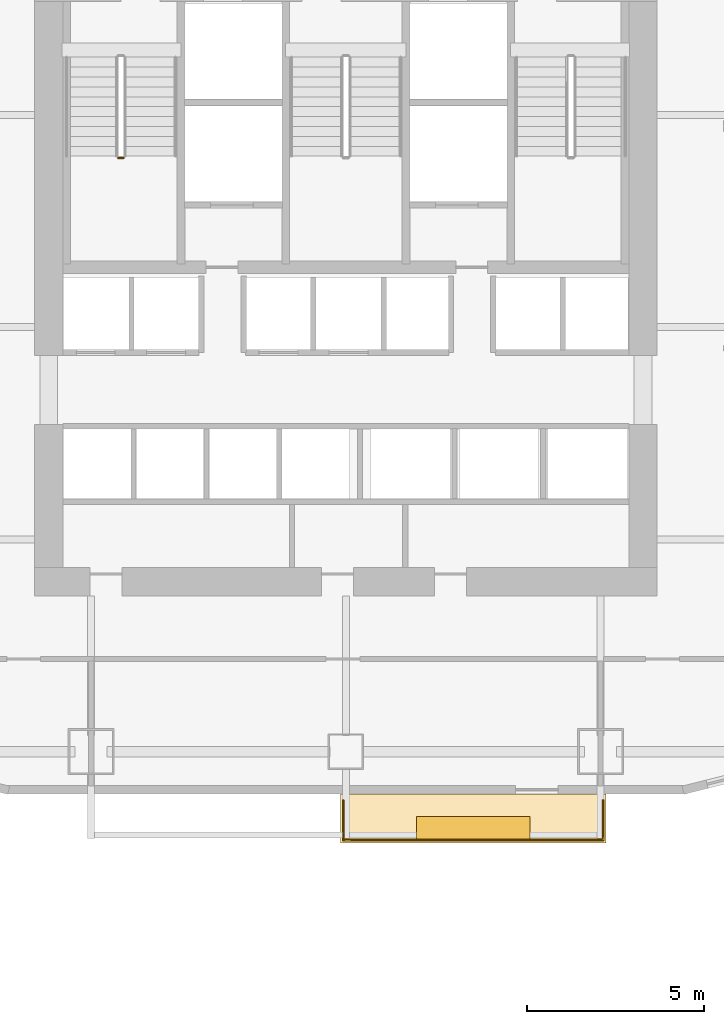
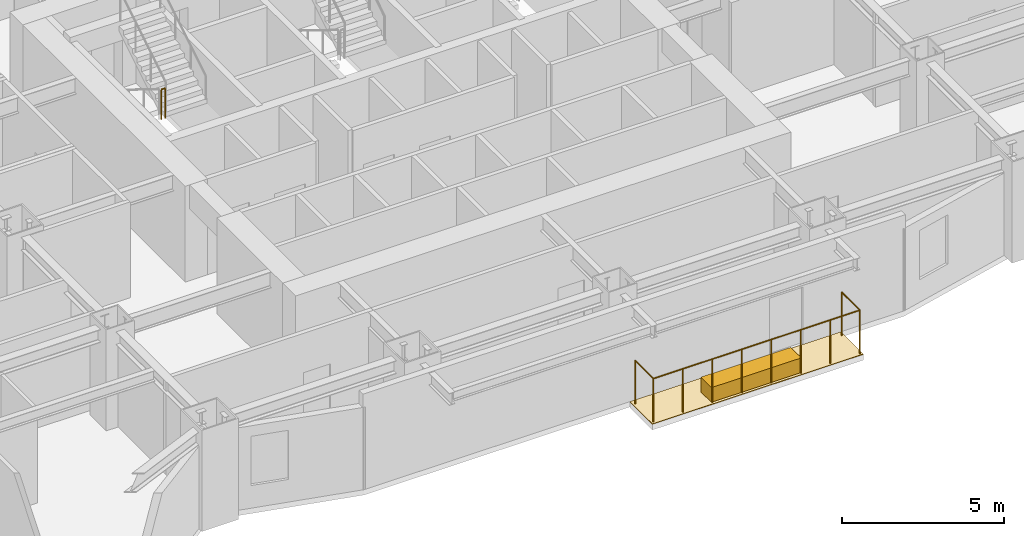
# One storey, part 14 of 17: 3 railings, 2 coverings.
"""IFC4 building model written with IfcOpenShell, lengths in metres."""

from ifc_helpers import new_model, si_unit, direction, frame, origin, origin_2d, place, context, subcontext, project, spatial, polyline, rectangle, circle, outline, extrude, material, layer, layer_set, type_object, element, save


model = new_model("IFC4")

# Units and contexts
model_context = context("Model", 3, precision=1e-05, world=origin(), true_north=direction((0.0, 1.0)))
body_context = subcontext(model_context, "Body", "Model", "MODEL_VIEW")
ifc_project = project(units=[si_unit("LENGTHUNIT", "METRE"), si_unit("AREAUNIT", "SQUARE_METRE"), si_unit("VOLUMEUNIT", "CUBIC_METRE"), si_unit("PLANEANGLEUNIT", "RADIAN"), si_unit("MASSUNIT", "GRAM", prefix="KILO")], contexts=[model_context])

# Site, building, storey
site_placement = place(None, origin())
site = spatial("IfcSite", under=ifc_project, at=site_placement, CompositionType="ELEMENT")
building_placement = place(site_placement, origin())
building = spatial("IfcBuilding", under=site, at=building_placement, Name="Haolan Belvedere Tower", CompositionType="ELEMENT")
storey_placement = place(building_placement, frame((0.0, 0.0, 35.39990234375)))
storey = spatial("IfcBuildingStorey", under=building, at=storey_placement, Name="L08", CompositionType="ELEMENT", Elevation=35.39990234375)

# Coverings
ifc_material_1 = material(Name="Engineered lightweight planted garden soil substrate", Category="masonry")
ifc_layer_1 = layer(ifc_material_1, 0.550048828125, Name="Engineered lightweight planted garden soil substrate")
ifc_layer_set_1 = layer_set([ifc_layer_1], Name="Engineered lightweight planted garden soil substrate")
covering_type_1 = type_object("IfcCoveringType", Name="COV-PLANT-550", PredefinedType="MEMBRANE", material=ifc_layer_set_1)
covering_1_placement = place(storey_placement, frame((42.0, 19.43994140625, 0.0), z_axis=(0.0, 0.0, 1.0), x_axis=(1.0, 0.0, 0.0)))
element("IfcCovering", 1, at=covering_1_placement, inside=storey, type_object=covering_type_1, Name="L08 structural tree balcony PLANTER box 1", PredefinedType="MEMBRANE", context=body_context, shape_type="SweptSolid", body=[
    extrude(rectangle(XDim=3.199951171875, YDim=0.64990234375, at=origin_2d()), origin(), (0.0, 0.0, 1.0), 0.550048828125),
])
ifc_material_2 = material(Name="Elastomeric waterproof roofing membrane and stone pavers", Category="masonry")
ifc_layer_2 = layer(ifc_material_2, 0.02001953125, Name="Elastomeric waterproof roofing membrane and stone pavers")
ifc_layer_set_2 = layer_set([ifc_layer_2], Name="Elastomeric waterproof roofing membrane and stone pavers")
covering_type_2 = type_object("IfcCoveringType", Name="COV-ROOF-20", PredefinedType="ROOFING", material=ifc_layer_set_2)
covering_2_placement = place(storey_placement, frame((0.0, 0.0, -0.02001953125)))
element("IfcCovering", 2, at=covering_2_placement, inside=storey, type_object=covering_type_2, Name="L08 tree-balcony waterproof membrane 1", PredefinedType="ROOFING", context=body_context, shape_type="SweptSolid", body=[
    extrude(outline(polyline([(38.25, 19.02001953125), (45.75, 19.02001953125), (45.75, 20.39990234375), (38.25, 20.39990234375), (38.25, 19.02001953125)])), origin(), (0.0, 0.0, 1.0), 0.02001953125),
])

# Railings
ifc_material_3 = material(Name="Brushed stainless steel 304", Category="steel")
railing_type_1 = type_object("IfcRailingType", Name="RL-STAIR-GRD-1150", PredefinedType="GUARDRAIL", material=ifc_material_3)
railing_1_placement = place(storey_placement, frame((31.969970703125, 38.3798828125, 1.900146484375)))
element("IfcRailing", 3, at=railing_1_placement, inside=storey, type_object=railing_type_1, Name="L08 ST1 stair guard 2", PredefinedType="GUARDRAIL", context=body_context, shape_type="SweptSolid", body=[
    extrude(circle(Radius=0.02392578125, at=origin_2d()), frame((0.0, 0.0, 1.1259765625), z_axis=(1.0, 0.0, 0.0), x_axis=(0.0, 1.0, 0.0)), (0.0, 0.0, 1.0), 0.14013671875),
    extrude(circle(Radius=0.02099609375, at=origin_2d()), origin(), (0.0, 0.0, 1.0), 1.101806640625),
    extrude(circle(Radius=0.02099609375, at=origin_2d()), frame((0.14013671875, 0.0, 0.0)), (0.0, 0.0, 1.0), 1.101806640625),
])
ifc_material_4 = material(Name="Anodised aluminium and laminated glass balustrade", Category="aluminium")
railing_type_2 = type_object("IfcRailingType", Name="RL-TER-BAL-1150", PredefinedType="BALUSTRADE", material=ifc_material_4)
railing_2_placement = place(storey_placement, frame((38.330078125, 19.10009765625, 0.0)))
element("IfcRailing", 4, at=railing_2_placement, inside=storey, type_object=railing_type_2, Name="L08 outdoor perimeter balustrade BAL-L08-1-1", PredefinedType="BALUSTRADE", context=body_context, shape_type="SweptSolid", body=[
    extrude(circle(Radius=0.02392578125, at=origin_2d()), frame((0.0, 0.0, 1.6259765625), z_axis=(0.0, 1.0, 0.0), x_axis=(-1.0, 0.0, 0.0)), (0.0, 0.0, 1.0), 1.119873046875),
    extrude(circle(Radius=0.02099609375, at=origin_2d()), origin(), (0.0, 0.0, 1.0), 1.601806640625),
    extrude(circle(Radius=0.02099609375, at=origin_2d()), frame((0.0, 1.119873046875, 0.0)), (0.0, 0.0, 1.0), 1.601806640625),
])
railing_3_placement = place(storey_placement, frame((45.669921875, 20.219970703125, 0.0)))
element("IfcRailing", 5, at=railing_3_placement, inside=storey, type_object=railing_type_2, Name="L08 outdoor perimeter balustrade BAL-L08-1-2", PredefinedType="BALUSTRADE", context=body_context, shape_type="SweptSolid", body=[
    extrude(circle(Radius=0.02392578125, at=origin_2d()), frame((0.0, 0.0, 1.6259765625), z_axis=(0.0, -1.0, 0.0), x_axis=(1.0, 0.0, 0.0)), (0.0, 0.0, 1.0), 1.119873046875),
    extrude(circle(Radius=0.02392578125, at=origin_2d()), frame((0.0, -1.119873046875, 1.6259765625), z_axis=(-1.0, 0.0, 0.0), x_axis=(0.0, -1.0, 0.0)), (0.0, 0.0, 1.0), 7.33984375),
    extrude(circle(Radius=0.02099609375, at=origin_2d()), origin(), (0.0, 0.0, 1.0), 1.601806640625),
    extrude(circle(Radius=0.02099609375, at=origin_2d()), frame((0.0, -1.119873046875, 0.0)), (0.0, 0.0, 1.0), 1.601806640625),
    extrude(circle(Radius=0.02099609375, at=origin_2d()), frame((-1.048583984375, -1.119873046875, 0.0)), (0.0, 0.0, 1.0), 1.601806640625),
    extrude(circle(Radius=0.02099609375, at=origin_2d()), frame((-2.09716796875, -1.119873046875, 0.0)), (0.0, 0.0, 1.0), 1.601806640625),
    extrude(circle(Radius=0.02099609375, at=origin_2d()), frame((-3.145751953125, -1.119873046875, 0.0)), (0.0, 0.0, 1.0), 1.601806640625),
    extrude(circle(Radius=0.02099609375, at=origin_2d()), frame((-4.194091796875, -1.119873046875, 0.0)), (0.0, 0.0, 1.0), 1.601806640625),
    extrude(circle(Radius=0.02099609375, at=origin_2d()), frame((-5.24267578125, -1.119873046875, 0.0)), (0.0, 0.0, 1.0), 1.601806640625),
    extrude(circle(Radius=0.02099609375, at=origin_2d()), frame((-6.291259765625, -1.119873046875, 0.0)), (0.0, 0.0, 1.0), 1.601806640625),
    extrude(circle(Radius=0.02099609375, at=origin_2d()), frame((-7.33984375, -1.119873046875, 0.0)), (0.0, 0.0, 1.0), 1.601806640625),
])

save(model, "model.ifc")
